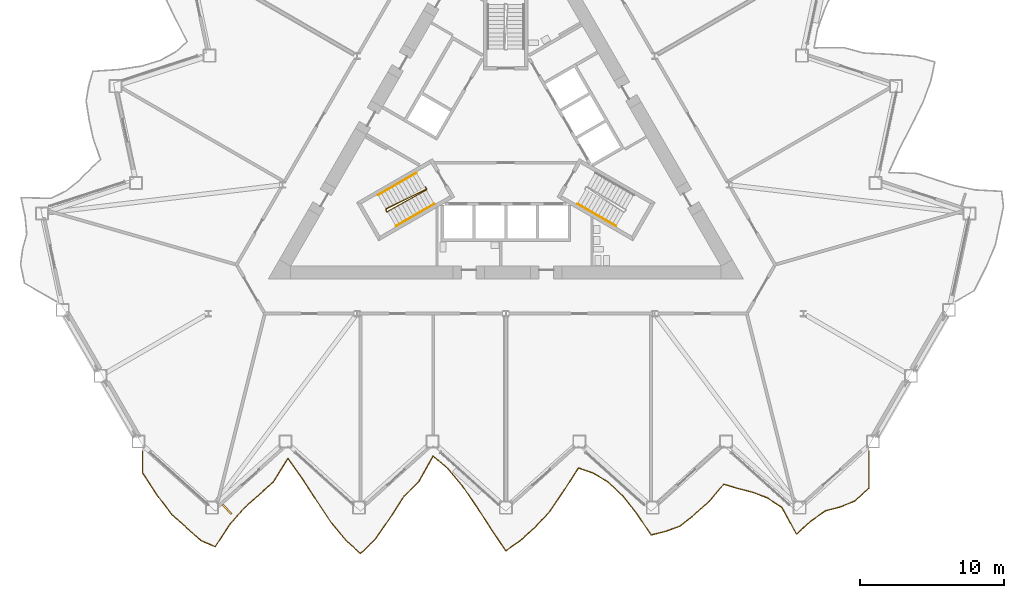
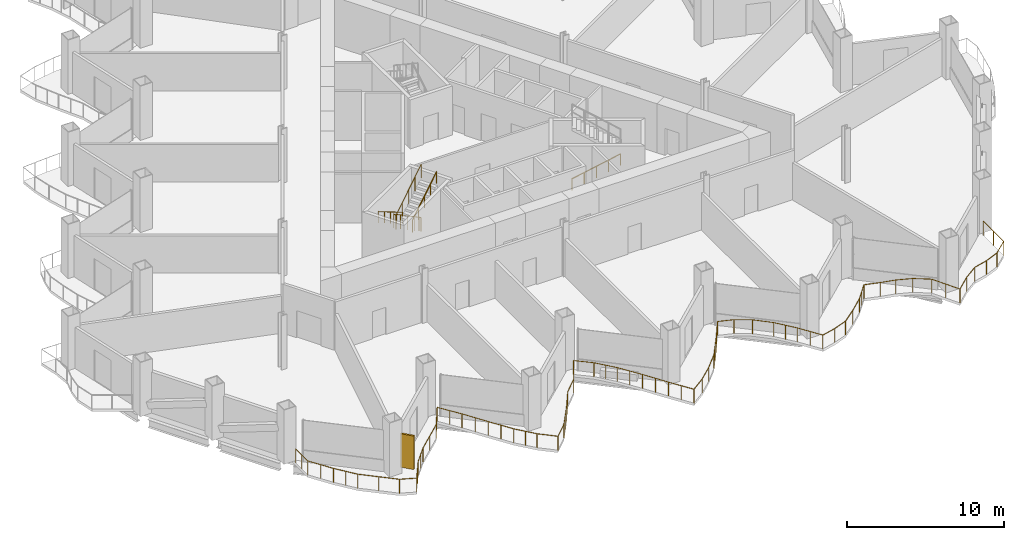
# One storey, part 17 of 21: 5 railings, 1 shading device.
"""IFC4 building model written with IfcOpenShell, lengths in metres."""

from ifc_helpers import new_model, si_unit, direction, frame, origin, origin_2d, place, context, subcontext, project, spatial, rectangle, circle, extrude, material, layer, layer_set, type_object, element, save


model = new_model("IFC4")

# Units and contexts
model_context = context("Model", 3, precision=1e-05, world=origin(), true_north=direction((0.0, 1.0)))
body_context = subcontext(model_context, "Body", "Model", "MODEL_VIEW")
ifc_project = project(units=[si_unit("LENGTHUNIT", "METRE"), si_unit("AREAUNIT", "SQUARE_METRE"), si_unit("VOLUMEUNIT", "CUBIC_METRE"), si_unit("PLANEANGLEUNIT", "RADIAN"), si_unit("MASSUNIT", "GRAM", prefix="KILO")], contexts=[model_context])

# Site, building, storey
site_placement = place(None, origin())
site = spatial("IfcSite", under=ifc_project, at=site_placement, CompositionType="ELEMENT")
building_placement = place(site_placement, origin())
building = spatial("IfcBuilding", under=site, at=building_placement, Name="Cormorant Prow Tower", CompositionType="ELEMENT")
storey_placement = place(building_placement, frame((0.0, 0.0, 133.199951171875)))
storey = spatial("IfcBuildingStorey", under=building, at=storey_placement, Name="L28", CompositionType="ELEMENT", Elevation=133.199951171875)

# Railings
ifc_material_1 = material(Name="Aluminium 6063-T6", Category="aluminium")
railing_type_1 = type_object("IfcRailingType", Name="Balcony guard 1100", PredefinedType="GUARDRAIL", material=ifc_material_1)
railing_1_placement = place(storey_placement, frame((-25.217041015625, -21.475830078125, 0.0)))
element("IfcRailing", 1, at=railing_1_placement, inside=storey, type_object=railing_type_1, Name="Balcony guard S", PredefinedType="GUARDRAIL", context=body_context, shape_type="SweptSolid", body=[
    extrude(circle(Radius=0.02392578125, at=origin_2d()), frame((0.0, 0.0, 1.076171875), z_axis=(0.0, -1.0, 0.0), x_axis=(1.0, 0.0, 0.0)), (0.0, 0.0, 1.0), 1.52001953125),
    extrude(circle(Radius=0.02392578125, at=origin_2d()), frame((0.0, -1.52001953125, 1.076171875), z_axis=(0.547099523328, -0.837067566911, 0.0), x_axis=(0.837067566911, 0.547099523328, 0.0)), (0.0, 0.0, 1.0), 1.843994140625),
    extrude(circle(Radius=0.02392578125, at=origin_2d()), frame((1.0087890625, -3.0634765625, 1.076171875), z_axis=(0.606251011859, -0.79527335591, 0.0), x_axis=(0.79527335591, 0.606251011859, 0.0)), (0.0, 0.0, 1.0), 1.66357421875),
    extrude(circle(Radius=0.02392578125, at=origin_2d()), frame((2.017333984375, -4.386474609375, 1.076171875), z_axis=(0.743186816138, -0.669083968063, 0.0), x_axis=(0.669083968063, 0.743186816138, 0.0)), (0.0, 0.0, 1.0), 1.357421875),
    extrude(circle(Radius=0.02392578125, at=origin_2d()), frame((3.026123046875, -5.294677734375, 1.076171875), z_axis=(0.743186816138, -0.669083968063, 0.0), x_axis=(0.669083968063, 0.743186816138, 0.0)), (0.0, 0.0, 1.0), 1.357421875),
    extrude(circle(Radius=0.02392578125, at=origin_2d()), frame((4.034912109375, -6.202880859375, 1.076171875), z_axis=(0.919340604259, -0.393462645444, 0.0), x_axis=(0.393462645444, 0.919340604259, 0.0)), (0.0, 0.0, 1.0), 1.096923828125),
    extrude(circle(Radius=0.02392578125, at=origin_2d()), frame((5.04345703125, -6.634521484375, 1.076171875), z_axis=(0.544923452511, 0.838485796483, 0.0), x_axis=(-0.838485796483, 0.544923452511, 0.0)), (0.0, 0.0, 1.0), 1.851318359375),
    extrude(circle(Radius=0.02392578125, at=origin_2d()), frame((6.05224609375, -5.082275390625, 1.076171875), z_axis=(0.663436281366, 0.748232785012, 0.0), x_axis=(-0.748232785012, 0.663436281366, 0.0)), (0.0, 0.0, 1.0), 1.520263671875),
    extrude(circle(Radius=0.02392578125, at=origin_2d()), frame((7.060791015625, -3.94482421875, 1.076171875), z_axis=(0.743186816138, 0.669083968063, 0.0), x_axis=(-0.669083968063, 0.743186816138, 0.0)), (0.0, 0.0, 1.0), 1.357421875),
    extrude(circle(Radius=0.02392578125, at=origin_2d()), frame((8.069580078125, -3.03662109375, 1.076171875), z_axis=(0.743106280888, 0.669173411983, 0.0), x_axis=(-0.669173411983, 0.743106280888, 0.0)), (0.0, 0.0, 1.0), 1.357177734375),
    extrude(circle(Radius=0.02392578125, at=origin_2d()), frame((9.078125, -2.12841796875, 1.076171875), z_axis=(0.526912034983, 0.849919824095, 0.0), x_axis=(-0.849919824095, 0.526912034983, 0.0)), (0.0, 0.0, 1.0), 1.91455078125),
    extrude(circle(Radius=0.02392578125, at=origin_2d()), frame((10.0869140625, -0.501220703125, 1.076171875), z_axis=(0.579803401982, -0.81475641455, 0.0), x_axis=(0.81475641455, 0.579803401982, 0.0)), (0.0, 0.0, 1.0), 1.739501953125),
    extrude(circle(Radius=0.02392578125, at=origin_2d()), frame((11.095458984375, -1.91845703125, 1.076171875), z_axis=(0.543240375594, -0.839577211651, 0.0), x_axis=(0.839577211651, 0.543240375594, 0.0)), (0.0, 0.0, 1.0), 1.85693359375),
    extrude(circle(Radius=0.02392578125, at=origin_2d()), frame((12.104248046875, -3.4775390625, 1.076171875), z_axis=(0.553031216413, -0.833160532955, 0.0), x_axis=(0.833160532955, 0.553031216413, 0.0)), (0.0, 0.0, 1.0), 1.82421875),
    extrude(circle(Radius=0.02392578125, at=origin_2d()), frame((13.113037109375, -4.997314453125, 1.076171875), z_axis=(0.64164991368, -0.766997645547, 0.0), x_axis=(0.766997645547, 0.64164991368, 0.0)), (0.0, 0.0, 1.0), 1.57177734375),
    extrude(circle(Radius=0.02392578125, at=origin_2d()), frame((14.12158203125, -6.202880859375, 1.076171875), z_axis=(0.743106280888, -0.669173411983, 0.0), x_axis=(0.669173411983, 0.743106280888, 0.0)), (0.0, 0.0, 1.0), 1.357177734375),
    extrude(circle(Radius=0.02392578125, at=origin_2d()), frame((15.130126953125, -7.111083984375, 1.076171875), z_axis=(0.716667354688, 0.697415158083, 0.0), x_axis=(-0.697415158083, 0.716667354688, 0.0)), (0.0, 0.0, 1.0), 1.40771484375),
    extrude(circle(Radius=0.02392578125, at=origin_2d()), frame((16.138916015625, -6.12939453125, 1.076171875), z_axis=(0.573713918438, 0.8190557611, 0.0), x_axis=(-0.8190557611, 0.573713918438, 0.0)), (0.0, 0.0, 1.0), 1.75830078125),
    extrude(circle(Radius=0.02392578125, at=origin_2d()), frame((17.147705078125, -4.689208984375, 1.076171875), z_axis=(0.542070080475, 0.840333283795, 0.0), x_axis=(-0.840333283795, 0.542070080475, 0.0)), (0.0, 0.0, 1.0), 1.860595703125),
    extrude(circle(Radius=0.02392578125, at=origin_2d()), frame((18.15625, -3.125732421875, 1.076171875), z_axis=(0.7111396923, 0.703050736459, 0.0), x_axis=(-0.703050736459, 0.7111396923, 0.0)), (0.0, 0.0, 1.0), 1.41845703125),
    extrude(circle(Radius=0.02392578125, at=origin_2d()), frame((19.1650390625, -2.12841796875, 1.076171875), z_axis=(0.491124609661, 0.871089328247, 0.0), x_axis=(-0.871089328247, 0.491124609661, 0.0)), (0.0, 0.0, 1.0), 2.053466796875),
    extrude(circle(Radius=0.02392578125, at=origin_2d()), frame((20.173583984375, -0.339599609375, 1.076171875), z_axis=(0.759866377248, -0.650079294185, 0.0), x_axis=(0.650079294185, 0.759866377248, 0.0)), (0.0, 0.0, 1.0), 1.32763671875),
    extrude(circle(Radius=0.02392578125, at=origin_2d()), frame((21.182373046875, -1.20263671875, 1.076171875), z_axis=(0.642506249311, -0.766280444483, 0.0), x_axis=(0.766280444483, 0.642506249311, 0.0)), (0.0, 0.0, 1.0), 1.570068359375),
    extrude(circle(Radius=0.02392578125, at=origin_2d()), frame((22.191162109375, -2.40576171875, 1.076171875), z_axis=(0.568051035315, -0.822993330032, 0.0), x_axis=(0.822993330032, 0.568051035315, 0.0)), (0.0, 0.0, 1.0), 1.775390625),
    extrude(circle(Radius=0.02392578125, at=origin_2d()), frame((23.19970703125, -3.866943359375, 1.076171875), z_axis=(0.54141320539, -0.840756647925, 0.0), x_axis=(0.840756647925, 0.54141320539, 0.0)), (0.0, 0.0, 1.0), 1.86279296875),
    extrude(circle(Radius=0.02392578125, at=origin_2d()), frame((24.208251953125, -5.43310546875, 1.076171875), z_axis=(0.561076309813, -0.827764081467, 0.0), x_axis=(0.827764081467, 0.561076309813, 0.0)), (0.0, 0.0, 1.0), 1.7978515625),
    extrude(circle(Radius=0.02392578125, at=origin_2d()), frame((25.217041015625, -6.92138671875, 1.076171875), z_axis=(0.814518561771, 0.580137494505, 0.0), x_axis=(-0.580137494505, 0.814518561771, 0.0)), (0.0, 0.0, 1.0), 1.238525390625),
    extrude(circle(Radius=0.02392578125, at=origin_2d()), frame((26.225830078125, -6.202880859375, 1.076171875), z_axis=(0.743106280888, 0.669173411983, 0.0), x_axis=(-0.669173411983, 0.743106280888, 0.0)), (0.0, 0.0, 1.0), 1.357177734375),
    extrude(circle(Radius=0.02392578125, at=origin_2d()), frame((27.234375, -5.294677734375, 1.076171875), z_axis=(0.683891565229, 0.729583666901, 0.0), x_axis=(-0.729583666901, 0.683891565229, 0.0)), (0.0, 0.0, 1.0), 1.474609375),
    extrude(circle(Radius=0.02392578125, at=origin_2d()), frame((28.242919921875, -4.21875, 1.076171875), z_axis=(0.563099997149, 0.826388766387, 0.0), x_axis=(-0.826388766387, 0.563099997149, 0.0)), (0.0, 0.0, 1.0), 1.79150390625),
    extrude(circle(Radius=0.02392578125, at=origin_2d()), frame((29.251708984375, -2.73828125, 1.076171875), z_axis=(0.54138653911, 0.84077381933, 0.0), x_axis=(-0.84077381933, 0.54138653911, 0.0)), (0.0, 0.0, 1.0), 1.86328125),
    extrude(circle(Radius=0.02392578125, at=origin_2d()), frame((30.260498046875, -1.171630859375, 1.076171875), z_axis=(0.945688798562, -0.325073370602, 0.0), x_axis=(0.325073370602, 0.945688798562, 0.0)), (0.0, 0.0, 1.0), 1.06640625),
    extrude(circle(Radius=0.02392578125, at=origin_2d()), frame((31.26904296875, -1.518310546875, 1.076171875), z_axis=(0.859889000311, -0.510481054638, 0.0), x_axis=(0.510481054638, 0.859889000311, 0.0)), (0.0, 0.0, 1.0), 1.173095703125),
    extrude(circle(Radius=0.02392578125, at=origin_2d()), frame((32.27783203125, -2.1171875, 1.076171875), z_axis=(0.732433442303, -0.680838639177, 0.0), x_axis=(0.680838639177, 0.732433442303, 0.0)), (0.0, 0.0, 1.0), 1.376953125),
    extrude(circle(Radius=0.02392578125, at=origin_2d()), frame((33.286376953125, -3.0546875, 1.076171875), z_axis=(0.622708149945, -0.782454190347, 0.0), x_axis=(0.782454190347, 0.622708149945, 0.0)), (0.0, 0.0, 1.0), 1.6201171875),
    extrude(circle(Radius=0.02392578125, at=origin_2d()), frame((34.295166015625, -4.322265625, 1.076171875), z_axis=(0.558625055194, -0.829420308233, 0.0), x_axis=(0.829420308233, 0.558625055194, 0.0)), (0.0, 0.0, 1.0), 1.805908203125),
    extrude(circle(Radius=0.02392578125, at=origin_2d()), frame((35.303955078125, -5.820068359375, 1.076171875), z_axis=(0.970294291632, 0.241927649572, 0.0), x_axis=(-0.241927649572, 0.970294291632, 0.0)), (0.0, 0.0, 1.0), 1.039306640625),
    extrude(circle(Radius=0.02392578125, at=origin_2d()), frame((36.3125, -5.568603515625, 1.076171875), z_axis=(0.93973363247, 0.341907443622, 0.0), x_axis=(-0.341907443622, 0.93973363247, 0.0)), (0.0, 0.0, 1.0), 1.0732421875),
    extrude(circle(Radius=0.02392578125, at=origin_2d()), frame((37.321044921875, -5.20166015625, 1.076171875), z_axis=(0.777792524199, 0.628521112851, 0.0), x_axis=(-0.628521112851, 0.777792524199, 0.0)), (0.0, 0.0, 1.0), 1.296875),
    extrude(circle(Radius=0.02392578125, at=origin_2d()), frame((38.329833984375, -4.386474609375, 1.076171875), z_axis=(0.743186816138, 0.669083968063, 0.0), x_axis=(-0.669083968063, 0.743186816138, 0.0)), (0.0, 0.0, 1.0), 1.357421875),
    extrude(circle(Radius=0.02392578125, at=origin_2d()), frame((39.338623046875, -3.478271484375, 1.076171875), z_axis=(0.649275684785, 0.760553144196, 0.0), x_axis=(-0.760553144196, 0.649275684785, 0.0)), (0.0, 0.0, 1.0), 1.55322265625),
    extrude(circle(Radius=0.02392578125, at=origin_2d()), frame((40.34716796875, -2.296875, 1.076171875), z_axis=(0.957736927182, -0.287645577598, 0.0), x_axis=(0.287645577598, 0.957736927182, 0.0)), (0.0, 0.0, 1.0), 1.05322265625),
    extrude(circle(Radius=0.02392578125, at=origin_2d()), frame((41.35595703125, -2.599853515625, 1.076171875), z_axis=(0.969462296979, -0.245240401923, 0.0), x_axis=(0.245240401923, 0.969462296979, 0.0)), (0.0, 0.0, 1.0), 1.040283203125),
    extrude(circle(Radius=0.02392578125, at=origin_2d()), frame((42.364501953125, -2.85498046875, 1.076171875), z_axis=(0.93306013523, -0.359720424836, 0.0), x_axis=(0.359720424836, 0.93306013523, 0.0)), (0.0, 0.0, 1.0), 1.0810546875),
    extrude(circle(Radius=0.02392578125, at=origin_2d()), frame((43.373291015625, -3.243896484375, 1.076171875), z_axis=(0.834280579949, -0.551340107301, 0.0), x_axis=(0.551340107301, 0.834280579949, 0.0)), (0.0, 0.0, 1.0), 1.208984375),
    extrude(circle(Radius=0.02392578125, at=origin_2d()), frame((44.3818359375, -3.910400390625, 1.076171875), z_axis=(0.478576200022, -0.87804602429, 0.0), x_axis=(0.87804602429, 0.478576200022, 0.0)), (0.0, 0.0, 1.0), 2.10791015625),
    extrude(circle(Radius=0.02392578125, at=origin_2d()), frame((45.390625, -5.76123046875, 1.076171875), z_axis=(0.743106280888, 0.669173411983, 0.0), x_axis=(-0.669173411983, 0.743106280888, 0.0)), (0.0, 0.0, 1.0), 1.357177734375),
    extrude(circle(Radius=0.02392578125, at=origin_2d()), frame((46.399169921875, -4.85302734375, 1.076171875), z_axis=(0.817965118336, 0.575267820398, 0.0), x_axis=(-0.575267820398, 0.817965118336, 0.0)), (0.0, 0.0, 1.0), 1.2333984375),
    extrude(circle(Radius=0.02392578125, at=origin_2d()), frame((47.407958984375, -4.1435546875, 1.076171875), z_axis=(0.968125364751, 0.250466121713, 0.0), x_axis=(-0.250466121713, 0.968125364751, 0.0)), (0.0, 0.0, 1.0), 1.0419921875),
    extrude(circle(Radius=0.02392578125, at=origin_2d()), frame((48.416748046875, -3.882568359375, 1.076171875), z_axis=(0.925543387254, 0.378641569707, 0.0), x_axis=(-0.378641569707, 0.925543387254, 0.0)), (0.0, 0.0, 1.0), 1.089599609375),
    extrude(circle(Radius=0.02392578125, at=origin_2d()), frame((49.42529296875, -3.469970703125, 1.076171875), z_axis=(0.746232390688, 0.665685525672, 0.0), x_axis=(-0.665685525672, 0.746232390688, 0.0)), (0.0, 0.0, 1.0), 1.351806640625),
    extrude(circle(Radius=0.02392578125, at=origin_2d()), frame((50.43408203125, -2.570068359375, 1.076171875), z_axis=(0.0, 1.0, 0.0), x_axis=(-1.0, 0.0, 0.0)), (0.0, 0.0, 1.0), 2.570068359375),
    extrude(circle(Radius=0.02099609375, at=origin_2d()), origin(), (0.0, 0.0, 1.0), 1.052001953125),
    extrude(circle(Radius=0.02099609375, at=origin_2d()), frame((0.0, -0.760009765625, 0.0)), (0.0, 0.0, 1.0), 1.052001953125),
    extrude(circle(Radius=0.02099609375, at=origin_2d()), frame((0.0, -1.52001953125, 0.0)), (0.0, 0.0, 1.0), 1.052001953125),
    extrude(circle(Radius=0.02099609375, at=origin_2d()), frame((0.50439453125, -2.291748046875, 0.0)), (0.0, 0.0, 1.0), 1.052001953125),
    extrude(circle(Radius=0.02099609375, at=origin_2d()), frame((1.0087890625, -3.0634765625, 0.0)), (0.0, 0.0, 1.0), 1.052001953125),
    extrude(circle(Radius=0.02099609375, at=origin_2d()), frame((1.51318359375, -3.72509765625, 0.0)), (0.0, 0.0, 1.0), 1.052001953125),
    extrude(circle(Radius=0.02099609375, at=origin_2d()), frame((2.017333984375, -4.386474609375, 0.0)), (0.0, 0.0, 1.0), 1.052001953125),
    extrude(circle(Radius=0.02099609375, at=origin_2d()), frame((3.026123046875, -5.294677734375, 0.0)), (0.0, 0.0, 1.0), 1.052001953125),
    extrude(circle(Radius=0.02099609375, at=origin_2d()), frame((4.034912109375, -6.202880859375, 0.0)), (0.0, 0.0, 1.0), 1.052001953125),
    extrude(circle(Radius=0.02099609375, at=origin_2d()), frame((5.04345703125, -6.634521484375, 0.0)), (0.0, 0.0, 1.0), 1.052001953125),
    extrude(circle(Radius=0.02099609375, at=origin_2d()), frame((5.5478515625, -5.8583984375, 0.0)), (0.0, 0.0, 1.0), 1.052001953125),
    extrude(circle(Radius=0.02099609375, at=origin_2d()), frame((6.05224609375, -5.082275390625, 0.0)), (0.0, 0.0, 1.0), 1.052001953125),
    extrude(circle(Radius=0.02099609375, at=origin_2d()), frame((6.556640625, -4.513671875, 0.0)), (0.0, 0.0, 1.0), 1.052001953125),
    extrude(circle(Radius=0.02099609375, at=origin_2d()), frame((7.060791015625, -3.94482421875, 0.0)), (0.0, 0.0, 1.0), 1.052001953125),
    extrude(circle(Radius=0.02099609375, at=origin_2d()), frame((8.069580078125, -3.03662109375, 0.0)), (0.0, 0.0, 1.0), 1.052001953125),
    extrude(circle(Radius=0.02099609375, at=origin_2d()), frame((9.078125, -2.12841796875, 0.0)), (0.0, 0.0, 1.0), 1.052001953125),
    extrude(circle(Radius=0.02099609375, at=origin_2d()), frame((9.58251953125, -1.31494140625, 0.0)), (0.0, 0.0, 1.0), 1.052001953125),
    extrude(circle(Radius=0.02099609375, at=origin_2d()), frame((10.0869140625, -0.501220703125, 0.0)), (0.0, 0.0, 1.0), 1.052001953125),
    extrude(circle(Radius=0.02099609375, at=origin_2d()), frame((10.59130859375, -1.2099609375, 0.0)), (0.0, 0.0, 1.0), 1.052001953125),
    extrude(circle(Radius=0.02099609375, at=origin_2d()), frame((11.095458984375, -1.91845703125, 0.0)), (0.0, 0.0, 1.0), 1.052001953125),
    extrude(circle(Radius=0.02099609375, at=origin_2d()), frame((11.599853515625, -2.697998046875, 0.0)), (0.0, 0.0, 1.0), 1.052001953125),
    extrude(circle(Radius=0.02099609375, at=origin_2d()), frame((12.104248046875, -3.4775390625, 0.0)), (0.0, 0.0, 1.0), 1.052001953125),
    extrude(circle(Radius=0.02099609375, at=origin_2d()), frame((12.608642578125, -4.2373046875, 0.0)), (0.0, 0.0, 1.0), 1.052001953125),
    extrude(circle(Radius=0.02099609375, at=origin_2d()), frame((13.113037109375, -4.997314453125, 0.0)), (0.0, 0.0, 1.0), 1.052001953125),
    extrude(circle(Radius=0.02099609375, at=origin_2d()), frame((13.6171875, -5.60009765625, 0.0)), (0.0, 0.0, 1.0), 1.052001953125),
    extrude(circle(Radius=0.02099609375, at=origin_2d()), frame((14.12158203125, -6.202880859375, 0.0)), (0.0, 0.0, 1.0), 1.052001953125),
    extrude(circle(Radius=0.02099609375, at=origin_2d()), frame((15.130126953125, -7.111083984375, 0.0)), (0.0, 0.0, 1.0), 1.052001953125),
    extrude(circle(Radius=0.02099609375, at=origin_2d()), frame((16.138916015625, -6.12939453125, 0.0)), (0.0, 0.0, 1.0), 1.052001953125),
    extrude(circle(Radius=0.02099609375, at=origin_2d()), frame((16.643310546875, -5.4091796875, 0.0)), (0.0, 0.0, 1.0), 1.052001953125),
    extrude(circle(Radius=0.02099609375, at=origin_2d()), frame((17.147705078125, -4.689208984375, 0.0)), (0.0, 0.0, 1.0), 1.052001953125),
    extrude(circle(Radius=0.02099609375, at=origin_2d()), frame((17.65185546875, -3.907470703125, 0.0)), (0.0, 0.0, 1.0), 1.052001953125),
    extrude(circle(Radius=0.02099609375, at=origin_2d()), frame((18.15625, -3.125732421875, 0.0)), (0.0, 0.0, 1.0), 1.052001953125),
    extrude(circle(Radius=0.02099609375, at=origin_2d()), frame((19.1650390625, -2.12841796875, 0.0)), (0.0, 0.0, 1.0), 1.052001953125),
    extrude(circle(Radius=0.02099609375, at=origin_2d()), frame((19.66943359375, -1.23388671875, 0.0)), (0.0, 0.0, 1.0), 1.052001953125),
    extrude(circle(Radius=0.02099609375, at=origin_2d()), frame((20.173583984375, -0.339599609375, 0.0)), (0.0, 0.0, 1.0), 1.052001953125),
    extrude(circle(Radius=0.02099609375, at=origin_2d()), frame((21.182373046875, -1.20263671875, 0.0)), (0.0, 0.0, 1.0), 1.052001953125),
    extrude(circle(Radius=0.02099609375, at=origin_2d()), frame((21.686767578125, -1.80419921875, 0.0)), (0.0, 0.0, 1.0), 1.052001953125),
    extrude(circle(Radius=0.02099609375, at=origin_2d()), frame((22.191162109375, -2.40576171875, 0.0)), (0.0, 0.0, 1.0), 1.052001953125),
    extrude(circle(Radius=0.02099609375, at=origin_2d()), frame((22.6953125, -3.13623046875, 0.0)), (0.0, 0.0, 1.0), 1.052001953125),
    extrude(circle(Radius=0.02099609375, at=origin_2d()), frame((23.19970703125, -3.866943359375, 0.0)), (0.0, 0.0, 1.0), 1.052001953125),
    extrude(circle(Radius=0.02099609375, at=origin_2d()), frame((23.7041015625, -4.64990234375, 0.0)), (0.0, 0.0, 1.0), 1.052001953125),
    extrude(circle(Radius=0.02099609375, at=origin_2d()), frame((24.208251953125, -5.43310546875, 0.0)), (0.0, 0.0, 1.0), 1.052001953125),
    extrude(circle(Radius=0.02099609375, at=origin_2d()), frame((24.712646484375, -6.17724609375, 0.0)), (0.0, 0.0, 1.0), 1.052001953125),
    extrude(circle(Radius=0.02099609375, at=origin_2d()), frame((25.217041015625, -6.92138671875, 0.0)), (0.0, 0.0, 1.0), 1.052001953125),
    extrude(circle(Radius=0.02099609375, at=origin_2d()), frame((26.225830078125, -6.202880859375, 0.0)), (0.0, 0.0, 1.0), 1.052001953125),
    extrude(circle(Radius=0.02099609375, at=origin_2d()), frame((27.234375, -5.294677734375, 0.0)), (0.0, 0.0, 1.0), 1.052001953125),
    extrude(circle(Radius=0.02099609375, at=origin_2d()), frame((28.242919921875, -4.21875, 0.0)), (0.0, 0.0, 1.0), 1.052001953125),
    extrude(circle(Radius=0.02099609375, at=origin_2d()), frame((28.747314453125, -3.478515625, 0.0)), (0.0, 0.0, 1.0), 1.052001953125),
    extrude(circle(Radius=0.02099609375, at=origin_2d()), frame((29.251708984375, -2.73828125, 0.0)), (0.0, 0.0, 1.0), 1.052001953125),
    extrude(circle(Radius=0.02099609375, at=origin_2d()), frame((29.756103515625, -1.955078125, 0.0)), (0.0, 0.0, 1.0), 1.052001953125),
    extrude(circle(Radius=0.02099609375, at=origin_2d()), frame((30.260498046875, -1.171630859375, 0.0)), (0.0, 0.0, 1.0), 1.052001953125),
    extrude(circle(Radius=0.02099609375, at=origin_2d()), frame((31.26904296875, -1.518310546875, 0.0)), (0.0, 0.0, 1.0), 1.052001953125),
    extrude(circle(Radius=0.02099609375, at=origin_2d()), frame((32.27783203125, -2.1171875, 0.0)), (0.0, 0.0, 1.0), 1.052001953125),
    extrude(circle(Radius=0.02099609375, at=origin_2d()), frame((33.286376953125, -3.0546875, 0.0)), (0.0, 0.0, 1.0), 1.052001953125),
    extrude(circle(Radius=0.02099609375, at=origin_2d()), frame((33.790771484375, -3.6884765625, 0.0)), (0.0, 0.0, 1.0), 1.052001953125),
    extrude(circle(Radius=0.02099609375, at=origin_2d()), frame((34.295166015625, -4.322265625, 0.0)), (0.0, 0.0, 1.0), 1.052001953125),
    extrude(circle(Radius=0.02099609375, at=origin_2d()), frame((34.799560546875, -5.0712890625, 0.0)), (0.0, 0.0, 1.0), 1.052001953125),
    extrude(circle(Radius=0.02099609375, at=origin_2d()), frame((35.303955078125, -5.820068359375, 0.0)), (0.0, 0.0, 1.0), 1.052001953125),
    extrude(circle(Radius=0.02099609375, at=origin_2d()), frame((36.3125, -5.568603515625, 0.0)), (0.0, 0.0, 1.0), 1.052001953125),
    extrude(circle(Radius=0.02099609375, at=origin_2d()), frame((37.321044921875, -5.20166015625, 0.0)), (0.0, 0.0, 1.0), 1.052001953125),
    extrude(circle(Radius=0.02099609375, at=origin_2d()), frame((38.329833984375, -4.386474609375, 0.0)), (0.0, 0.0, 1.0), 1.052001953125),
    extrude(circle(Radius=0.02099609375, at=origin_2d()), frame((39.338623046875, -3.478271484375, 0.0)), (0.0, 0.0, 1.0), 1.052001953125),
    extrude(circle(Radius=0.02099609375, at=origin_2d()), frame((39.8427734375, -2.8876953125, 0.0)), (0.0, 0.0, 1.0), 1.052001953125),
    extrude(circle(Radius=0.02099609375, at=origin_2d()), frame((40.34716796875, -2.296875, 0.0)), (0.0, 0.0, 1.0), 1.052001953125),
    extrude(circle(Radius=0.02099609375, at=origin_2d()), frame((41.35595703125, -2.599853515625, 0.0)), (0.0, 0.0, 1.0), 1.052001953125),
    extrude(circle(Radius=0.02099609375, at=origin_2d()), frame((42.364501953125, -2.85498046875, 0.0)), (0.0, 0.0, 1.0), 1.052001953125),
    extrude(circle(Radius=0.02099609375, at=origin_2d()), frame((43.373291015625, -3.243896484375, 0.0)), (0.0, 0.0, 1.0), 1.052001953125),
    extrude(circle(Radius=0.02099609375, at=origin_2d()), frame((44.3818359375, -3.910400390625, 0.0)), (0.0, 0.0, 1.0), 1.052001953125),
    extrude(circle(Radius=0.02099609375, at=origin_2d()), frame((44.88623046875, -4.8359375, 0.0)), (0.0, 0.0, 1.0), 1.052001953125),
    extrude(circle(Radius=0.02099609375, at=origin_2d()), frame((45.390625, -5.76123046875, 0.0)), (0.0, 0.0, 1.0), 1.052001953125),
    extrude(circle(Radius=0.02099609375, at=origin_2d()), frame((46.399169921875, -4.85302734375, 0.0)), (0.0, 0.0, 1.0), 1.052001953125),
    extrude(circle(Radius=0.02099609375, at=origin_2d()), frame((47.407958984375, -4.1435546875, 0.0)), (0.0, 0.0, 1.0), 1.052001953125),
    extrude(circle(Radius=0.02099609375, at=origin_2d()), frame((48.416748046875, -3.882568359375, 0.0)), (0.0, 0.0, 1.0), 1.052001953125),
    extrude(circle(Radius=0.02099609375, at=origin_2d()), frame((49.42529296875, -3.469970703125, 0.0)), (0.0, 0.0, 1.0), 1.052001953125),
    extrude(circle(Radius=0.02099609375, at=origin_2d()), frame((50.43408203125, -2.570068359375, 0.0)), (0.0, 0.0, 1.0), 1.052001953125),
    extrude(circle(Radius=0.02099609375, at=origin_2d()), frame((50.43408203125, -1.28515625, 0.0)), (0.0, 0.0, 1.0), 1.052001953125),
    extrude(circle(Radius=0.02099609375, at=origin_2d()), frame((50.43408203125, 0.0, 0.0)), (0.0, 0.0, 1.0), 1.052001953125),
])
ifc_material_2 = material(Name="Stainless steel", Category="steel")
railing_type_2 = type_object("IfcRailingType", Name="Stair guard 1100", PredefinedType="GUARDRAIL", material=ifc_material_2)
railing_2_placement = place(storey_placement, frame((-5.585205078125, -3.137939453125, 0.0)))
element("IfcRailing", 2, at=railing_2_placement, inside=storey, type_object=railing_type_2, Name="L28 ST1 stair guard 1", PredefinedType="GUARDRAIL", context=body_context, shape_type="SweptSolid", body=[
    extrude(circle(Radius=0.02392578125, at=origin_2d()), frame((0.0, 0.0, 1.076171875), z_axis=(0.501036270542, -0.865426285481, 0.0), x_axis=(0.865426285481, 0.501036270542, 0.0)), (0.0, 0.0, 1.0), 0.150146484375),
    extrude(circle(Radius=0.02392578125, at=origin_2d()), frame((0.0751953125, -0.1298828125, 1.076171875), z_axis=(-0.744644002882, -0.368732342607, 0.556364780057), x_axis=(0.443754251299, -0.896148516963, 0.0)), (0.0, 0.0, 1.0), 3.774658203125),
    extrude(circle(Radius=0.02392578125, at=origin_2d()), frame((-2.735595703125, -1.521728515625, 3.17626953125), z_axis=(0.274721127897, -0.961523947641, 0.0), x_axis=(0.961523947641, 0.274721127897, 0.0)), (0.0, 0.0, 1.0), 0.2060546875),
    extrude(circle(Radius=0.02392578125, at=origin_2d()), frame((-2.678955078125, -1.719970703125, 3.17626953125), z_axis=(0.725764528363, 0.403684660475, 0.557049857973), x_axis=(-0.486086505765, 0.873910698477, 0.0)), (0.0, 0.0, 1.0), 3.76953125),
    extrude(circle(Radius=0.02099609375, at=origin_2d()), origin(), (0.0, 0.0, 1.0), 1.052001953125),
    extrude(circle(Radius=0.02099609375, at=origin_2d()), frame((0.0751953125, -0.1298828125, 0.0)), (0.0, 0.0, 1.0), 1.052001953125),
    extrude(circle(Radius=0.02099609375, at=origin_2d()), frame((-0.62744140625, -0.477783203125, 0.52490234375)), (0.0, 0.0, 1.0), 1.052001953125),
    extrude(circle(Radius=0.02099609375, at=origin_2d()), frame((-1.330078125, -0.82568359375, 1.050048828125)), (0.0, 0.0, 1.0), 1.052001953125),
    extrude(circle(Radius=0.02099609375, at=origin_2d()), frame((-2.032958984375, -1.173828125, 1.5751953125)), (0.0, 0.0, 1.0), 1.052001953125),
    extrude(circle(Radius=0.02099609375, at=origin_2d()), frame((-2.735595703125, -1.521728515625, 2.10009765625)), (0.0, 0.0, 1.0), 1.052001953125),
    extrude(circle(Radius=0.02099609375, at=origin_2d()), frame((-2.678955078125, -1.719970703125, 2.10009765625)), (0.0, 0.0, 1.0), 1.052001953125),
    extrude(circle(Radius=0.02099609375, at=origin_2d()), frame((-1.9951171875, -1.339599609375, 2.625)), (0.0, 0.0, 1.0), 1.052001953125),
    extrude(circle(Radius=0.02099609375, at=origin_2d()), frame((-1.31103515625, -0.958984375, 3.14990234375)), (0.0, 0.0, 1.0), 1.052001953125),
    extrude(circle(Radius=0.02099609375, at=origin_2d()), frame((-0.626953125, -0.57861328125, 3.675048828125)), (0.0, 0.0, 1.0), 1.052001953125),
    extrude(circle(Radius=0.02099609375, at=origin_2d()), frame((0.056884765625, -0.1982421875, 4.199951171875)), (0.0, 0.0, 1.0), 1.052001953125),
])
ifc_material_3 = material(Name="Stainless steel", Category="steel")
railing_type_3 = type_object("IfcRailingType", Name="Stair handrail 900", PredefinedType="HANDRAIL", material=ifc_material_3)
railing_3_placement = place(storey_placement, frame((-6.212890625, -2.150634765625, 0.175048828125)))
element("IfcRailing", 3, at=railing_3_placement, inside=storey, type_object=railing_type_3, Name="L28 ST1 stair handrail 1", PredefinedType="HANDRAIL", context=body_context, shape_type="SweptSolid", body=[
    extrude(circle(Radius=0.02392578125, at=origin_2d()), frame((0.0, 0.0, 0.8759765625), z_axis=(-0.734394994316, -0.423994474112, 0.52999309264), x_axis=(0.499992328818, -0.866029832698, 0.0)), (0.0, 0.0, 1.0), 3.63232421875),
    extrude(circle(Radius=0.02099609375, at=origin_2d()), origin(), (0.0, 0.0, 1.0), 0.851806640625),
    extrude(circle(Radius=0.02099609375, at=origin_2d()), frame((-0.6669921875, -0.385009765625, 0.481201171875)), (0.0, 0.0, 1.0), 0.851806640625),
    extrude(circle(Radius=0.02099609375, at=origin_2d()), frame((-1.333740234375, -0.77001953125, 0.96240234375)), (0.0, 0.0, 1.0), 0.851806640625),
    extrude(circle(Radius=0.02099609375, at=origin_2d()), frame((-2.00048828125, -1.155029296875, 1.44384765625)), (0.0, 0.0, 1.0), 0.851806640625),
    extrude(circle(Radius=0.02099609375, at=origin_2d()), frame((-2.66748046875, -1.5400390625, 1.925048828125)), (0.0, 0.0, 1.0), 0.851806640625),
])
railing_4_placement = place(storey_placement, frame((-7.63623046875, -5.84521484375, 2.275146484375)))
element("IfcRailing", 4, at=railing_4_placement, inside=storey, type_object=railing_type_3, Name="L28 ST1 stair handrail 2", PredefinedType="HANDRAIL", context=body_context, shape_type="SweptSolid", body=[
    extrude(circle(Radius=0.02392578125, at=origin_2d()), frame((0.0, 0.0, 0.8759765625), z_axis=(0.734390191396, 0.42403051051, 0.529970917068), x_axis=(-0.500026652407, 0.866010015463, 0.0)), (0.0, 0.0, 1.0), 3.6318359375),
    extrude(circle(Radius=0.02099609375, at=origin_2d()), origin(), (0.0, 0.0, 1.0), 0.851806640625),
    extrude(circle(Radius=0.02099609375, at=origin_2d()), frame((0.666748046875, 0.385009765625, 0.481201171875)), (0.0, 0.0, 1.0), 0.851806640625),
    extrude(circle(Radius=0.02099609375, at=origin_2d()), frame((1.33349609375, 0.77001953125, 0.96240234375)), (0.0, 0.0, 1.0), 0.851806640625),
    extrude(circle(Radius=0.02099609375, at=origin_2d()), frame((2.00048828125, 1.155029296875, 1.443603515625)), (0.0, 0.0, 1.0), 0.851806640625),
    extrude(circle(Radius=0.02099609375, at=origin_2d()), frame((2.667236328125, 1.5400390625, 1.9248046875)), (0.0, 0.0, 1.0), 0.851806640625),
])
railing_5_placement = place(storey_placement, frame((4.968994140625, -4.30517578125, 0.175048828125)))
element("IfcRailing", 5, at=railing_5_placement, inside=storey, type_object=railing_type_3, Name="L28 ST2 stair handrail 1", PredefinedType="HANDRAIL", context=body_context, shape_type="SweptSolid", body=[
    extrude(circle(Radius=0.02392578125, at=origin_2d()), frame((0.0, 0.0, 0.8759765625), z_axis=(0.734364028329, -0.424015404183, 0.530019255228), x_axis=(0.500026652407, 0.866010015463, 0.0)), (0.0, 0.0, 1.0), 3.632080078125),
    extrude(circle(Radius=0.02099609375, at=origin_2d()), origin(), (0.0, 0.0, 1.0), 0.851806640625),
    extrude(circle(Radius=0.02099609375, at=origin_2d()), frame((0.666748046875, -0.385009765625, 0.481201171875)), (0.0, 0.0, 1.0), 0.851806640625),
    extrude(circle(Radius=0.02099609375, at=origin_2d()), frame((1.33349609375, -0.77001953125, 0.96240234375)), (0.0, 0.0, 1.0), 0.851806640625),
    extrude(circle(Radius=0.02099609375, at=origin_2d()), frame((2.00048828125, -1.155029296875, 1.44384765625)), (0.0, 0.0, 1.0), 0.851806640625),
    extrude(circle(Radius=0.02099609375, at=origin_2d()), frame((2.667236328125, -1.5400390625, 1.925048828125)), (0.0, 0.0, 1.0), 0.851806640625),
])

# Shading device
ifc_material_4 = material(Name="Terracotta", Category="masonry")
ifc_layer = layer(ifc_material_4, 0.1201171875)
ifc_layer_set = layer_set([ifc_layer], Name="Terracotta")
shading_device_type = type_object("IfcShadingDeviceType", Name="Terracotta baguette fin 120x900x2600", PredefinedType="USERDEFINED", material=ifc_layer_set)
shading_device_placement = place(storey_placement, frame((-19.355224609375, -25.505615234375, 0.0), z_axis=(0.0, 0.0, 1.0), x_axis=(0.743144807376, 0.669130626463, 0.0)))
element("IfcShadingDevice", 6, at=shading_device_placement, inside=storey, type_object=shading_device_type, Name="Baguette fin S01", ObjectType="BAGUETTE", PredefinedType="USERDEFINED", context=body_context, shape_type="SweptSolid", body=[
    extrude(rectangle(XDim=0.1201171875, YDim=0.89990234375, at=origin_2d()), origin(), (0.0, 0.0, 1.0), 2.60009765625),
])

save(model, "model.ifc")
